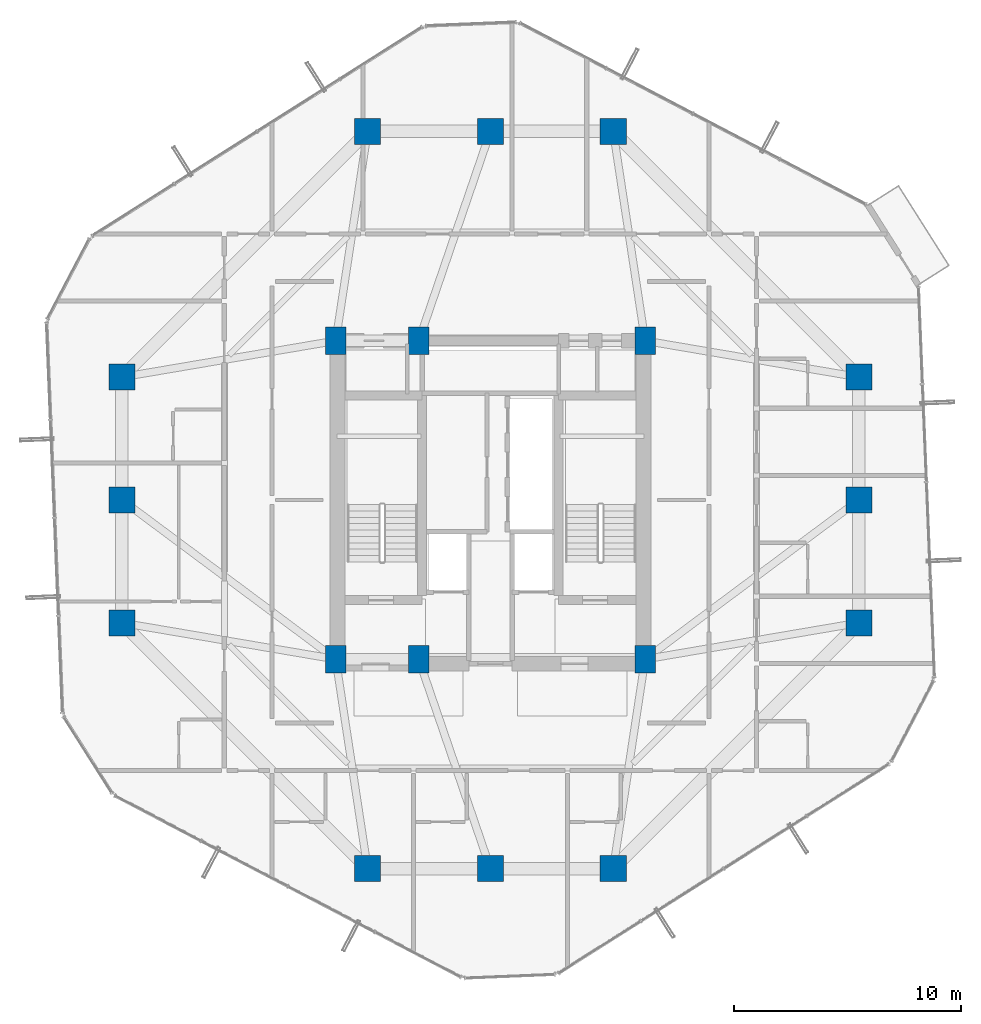
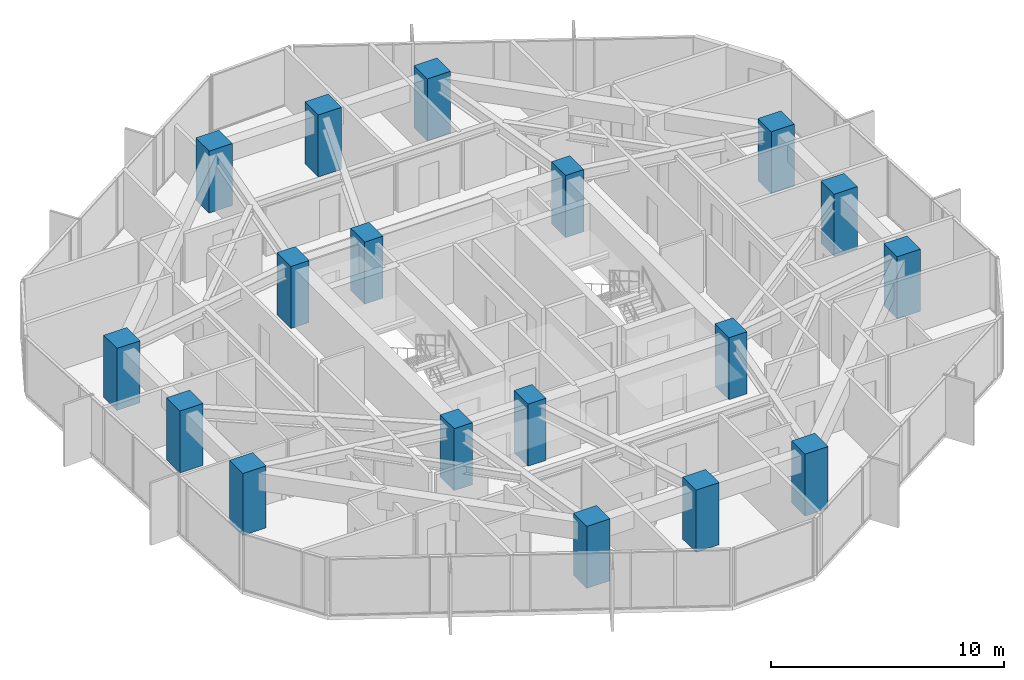
# One storey, part 1 of 32: 18 columns.
"""IFC4 building model written with IfcOpenShell, lengths in metres."""

import ifcopenshell
import ifcopenshell.guid

model = None  # the IFC model being written
_history = None  # IfcOwnerHistory: only IFC2X3 demands one
_inside = {}  # id of a spatial element -> (the spatial element, [elements in it])
_under = {}  # id of a project, library or spatial element -> (it, [spatial elements below it])
_declared = {}  # id of a project -> (the project, [libraries it declares])
_typed = {}  # id of a type object -> (the type object, [elements of that type])
_made_of = {}  # id of a material, layer set ... -> (it, [elements and type objects made of it])


def new_model(schema):
    """Start an empty IFC model of exactly this schema.

    Asked for "IFC4X3", IfcOpenShell would pick the latest addendum, in which some entities
    have other attributes; the version numbers below select the first issue.
    IFC2X3 requires an IfcOwnerHistory on every rooted entity: one is made here for all.
    """
    global model, _history
    if schema == "IFC4X3":
        model = ifcopenshell.file(schema_version=(4, 3, 0, 0))
    else:
        model = ifcopenshell.file(schema=schema)
    _inside.clear()
    _under.clear()
    _declared.clear()
    _typed.clear()
    _made_of.clear()
    _history = None
    if model.schema == "IFC2X3":
        org = make("IfcOrganization", Name="unknown")
        user = make(
            "IfcPersonAndOrganization",
            ThePerson=make("IfcPerson", FamilyName="unknown"),
            TheOrganization=org,
        )
        app = make(
            "IfcApplication",
            ApplicationDeveloper=org,
            Version="unknown",
            ApplicationFullName="unknown",
            ApplicationIdentifier="unknown",
        )
        _history = make(
            "IfcOwnerHistory",
            OwningUser=user,
            OwningApplication=app,
            ChangeAction="ADDED",
            CreationDate=0,
        )
    return model


def make(cls, **values):
    """One entity of the class cls with the attributes given. An attribute that is None is left unset."""
    return model.create_entity(
        cls, **{name: value for name, value in values.items() if value is not None}
    )


def rooted(cls, **values):
    """An entity with a GlobalId (a new one), such as an element, a storey or a relation."""
    return make(cls, GlobalId=ifcopenshell.guid.new(), OwnerHistory=_history, **values)


def si_unit(unit_type, name, prefix=None):
    """IfcSIUnit, for example si_unit("LENGTHUNIT", "METRE", prefix="MILLI")."""
    return make("IfcSIUnit", UnitType=unit_type, Prefix=prefix, Name=name)


def assignment(units):
    """IfcUnitAssignment: the units of a project."""
    return None if units is None else make("IfcUnitAssignment", Units=units)


def point(xyz):
    """IfcCartesianPoint."""
    return None if xyz is None else make("IfcCartesianPoint", Coordinates=xyz)


def direction(xyz):
    """IfcDirection."""
    return None if xyz is None else make("IfcDirection", DirectionRatios=xyz)


def frame(location, z_axis=None, x_axis=None):
    """IfcAxis2Placement3D, a coordinate frame: its origin and axes. An axis left out is left unset."""
    return make(
        "IfcAxis2Placement3D",
        Location=point(location),
        Axis=direction(z_axis),
        RefDirection=direction(x_axis),
    )


def frame_2d(location, x_axis=None):
    """IfcAxis2Placement2D, a coordinate frame in the plane: its origin and x axis."""
    return make(
        "IfcAxis2Placement2D", Location=point(location), RefDirection=direction(x_axis)
    )


def origin():
    """The frame at (0, 0, 0) with its axes left unset."""
    return frame((0.0, 0.0, 0.0))


def origin_2d():
    """The frame at (0, 0) in the plane with its x axis left unset."""
    return frame_2d((0.0, 0.0))


def place(relative_to, where):
    """IfcLocalPlacement: puts the frame where relative to a parent placement (None: the world)."""
    return make(
        "IfcLocalPlacement", PlacementRelTo=relative_to, RelativePlacement=where
    )


def context(
    kind, dimensions, precision=None, world=None, true_north=None, identifier=None
):
    """IfcGeometricRepresentationContext, for example the 3D "Model" context."""
    return make(
        "IfcGeometricRepresentationContext",
        ContextIdentifier=identifier,
        ContextType=kind,
        CoordinateSpaceDimension=dimensions,
        Precision=precision,
        WorldCoordinateSystem=world,
        TrueNorth=true_north,
    )


def subcontext(parent, identifier, kind, view, scale=None):
    """IfcGeometricRepresentationSubContext, for example "Body" below "Model"."""
    return make(
        "IfcGeometricRepresentationSubContext",
        ContextIdentifier=identifier,
        ContextType=kind,
        ParentContext=parent,
        TargetScale=scale,
        TargetView=view,
    )


def project(units=None, contexts=None):
    """IfcProject with its units and contexts."""
    return rooted(
        "IfcProject",
        Name="project",
        RepresentationContexts=contexts,
        UnitsInContext=assignment(units),
    )


def spatial(cls, under=None, at=None, **own):
    """A site, building, storey or space (cls), placed at a placement, below another one or the project."""
    s = rooted(cls, ObjectPlacement=at, **own)
    if under is not None:
        _under.setdefault(under.id(), (under, []))[1].append(s)
    return s


def profile(cls, at=None, kind="AREA", **sizes):
    """A parametric profile (cls). Its sizes go by their IFC names, for example OverallWidth=200.0."""
    return make(cls, ProfileType=kind, Position=at, **sizes)


def rectangle(**sizes):
    """IfcRectangleProfileDef."""
    return profile("IfcRectangleProfileDef", **sizes)


def extrude(swept, where, along, depth):
    """IfcExtrudedAreaSolid: the profile swept, set in the frame where, extruded along a direction by depth."""
    return make(
        "IfcExtrudedAreaSolid",
        SweptArea=swept,
        Position=where,
        ExtrudedDirection=direction(along),
        Depth=depth,
    )


def shape(context_of_items, identifier, shape_type, items):
    """IfcShapeRepresentation: the items that make up one representation, for example the "Body"."""
    return make(
        "IfcShapeRepresentation",
        ContextOfItems=context_of_items,
        RepresentationIdentifier=identifier,
        RepresentationType=shape_type,
        Items=items,
    )


def material(Name=None, Category=None):
    """IfcMaterial."""
    return make("IfcMaterial", Name=Name, Category=Category)


def material_profile(
    of_material, cross_section, Name=None, Category=None, Priority=None
):
    """IfcMaterialProfile: a cross section and its material."""
    return make(
        "IfcMaterialProfile",
        Name=Name,
        Material=of_material,
        Profile=cross_section,
        Priority=Priority,
        Category=Category,
    )


def profile_set(profiles, Name=None, composite=None):
    """IfcMaterialProfileSet."""
    return make(
        "IfcMaterialProfileSet",
        Name=Name,
        MaterialProfiles=profiles,
        CompositeProfile=composite,
    )


def made_of(thing, what):
    """Note that an element or type object is made of a material, layer set ...; save() writes the relation."""
    if what is not None:
        _made_of.setdefault(what.id(), (what, []))[1].append(thing)
    return thing


def type_object(cls, material=None, **own):
    """A type object (cls), such as IfcWallType, which elements share."""
    return made_of(rooted(cls, **own), material)


def element(
    cls,
    number,
    at=None,
    inside=None,
    cuts=None,
    type_object=None,
    material=None,
    context=None,
    identifier="Body",
    shape_type=None,
    held_by="IfcProductDefinitionShape",
    body=None,
    shapes=None,
    **own,
):
    """One element of the class cls, such as IfcWall. Its Tag is "e" and its number.

    at: its placement. inside: the storey or other place that contains it. cuts: it is an
    opening in that element (IfcRelVoidsElement). A single representation is given by context,
    identifier, shape_type and body (its items); several are given by shapes. held_by: the class
    of the entity that holds the representations. save() writes the other relations.
    """
    e = rooted(cls, Tag="e%d" % number, ObjectPlacement=at, **own)
    if body is not None:
        shapes = [shape(context, identifier, shape_type, body)]
    if shapes is not None:
        e.Representation = make(held_by, Representations=shapes)
    if inside is not None:
        _inside.setdefault(inside.id(), (inside, []))[1].append(e)
    if cuts is not None:
        rooted(
            "IfcRelVoidsElement", RelatingBuildingElement=cuts, RelatedOpeningElement=e
        )
    if type_object is not None:
        _typed.setdefault(type_object.id(), (type_object, []))[1].append(e)
    return made_of(e, material)


def aggregate(whole, parts):
    """IfcRelAggregates: a whole, such as a stair, and the parts it consists of."""
    return rooted("IfcRelAggregates", RelatingObject=whole, RelatedObjects=parts)


def save(model, path):
    """Write the relations noted so far, then the file.

    IfcRelAggregates (storeys below a building ...), IfcRelContainedInSpatialStructure (elements
    in a storey), IfcRelDefinesByType, IfcRelAssociatesMaterial and IfcRelDeclares: one each for
    every whole, place, type object, material and project.
    """
    for whole, parts in _under.values():
        aggregate(whole, parts)
    for where, things in _inside.values():
        rooted(
            "IfcRelContainedInSpatialStructure",
            RelatedElements=things,
            RelatingStructure=where,
        )
    for kind, things in _typed.values():
        rooted("IfcRelDefinesByType", RelatedObjects=things, RelatingType=kind)
    for what, things in _made_of.values():
        rooted("IfcRelAssociatesMaterial", RelatedObjects=things, RelatingMaterial=what)
    for by, libraries in _declared.values():
        rooted("IfcRelDeclares", RelatingContext=by, RelatedDefinitions=libraries)
    model.write(path)


model = new_model("IFC4")

# Units and contexts
model_context = context("Model", 3, precision=1e-05, world=origin(), true_north=direction((0.0, 1.0)))
body_context = subcontext(model_context, "Body", "Model", "MODEL_VIEW")
ifc_project = project(units=[si_unit("LENGTHUNIT", "METRE"), si_unit("AREAUNIT", "SQUARE_METRE"), si_unit("VOLUMEUNIT", "CUBIC_METRE"), si_unit("PLANEANGLEUNIT", "RADIAN"), si_unit("MASSUNIT", "GRAM", prefix="KILO")], contexts=[model_context])

# Site, building, storey
site_placement = place(None, origin())
site = spatial("IfcSite", under=ifc_project, at=site_placement, CompositionType="ELEMENT")
building_placement = place(site_placement, origin())
building = spatial("IfcBuilding", under=site, at=building_placement, Name="Veraguas Prism Commons", CompositionType="ELEMENT")
storey_placement = place(building_placement, frame((0.0, 0.0, 136.0)))
storey = spatial("IfcBuildingStorey", under=building, at=storey_placement, Name="L38", CompositionType="ELEMENT", Elevation=136.0)

# Columns
ifc_material = material(Name="Concrete C60/75", Category="concrete")
ifc_material_profile_1 = material_profile(ifc_material, rectangle(XDim=1.14990234375, YDim=1.14990234375, at=origin_2d()), Name="RC1150X1150")
ifc_profile_set_1 = profile_set([ifc_material_profile_1], Name="Concrete C60/75")
column_type_1 = type_object("IfcColumnType", Name="Column Tube Z2 RC 1150x1150", PredefinedType="COLUMN", material=ifc_profile_set_1)
for number, where, z_axis, x_axis, name in (
    (1, (40.199951171875, 18.60009765625, 0.0), (0.0, 0.0, 1.0), (1.0, 0.0, 0.0), "Tower Perimeter Column L38-TB01"),
    (2, (40.199951171875, 24.0, 0.0), (0.0, 0.0, 1.0), (1.0, 0.0, 0.0), "Tower Perimeter Column L38-TB02"),
    (3, (40.199951171875, 29.39990234375, 0.0), (0.0, 0.0, 1.0), (1.0, 0.0, 0.0), "Tower Perimeter Column L38-TB03"),
    (4, (29.39990234375, 40.199951171875, 0.0), (0.0, 0.0, 1.0), (1.0, 0.0, 0.0), "Tower Perimeter Column L38-TB04"),
    (5, (24.0, 40.199951171875, 0.0), (0.0, 0.0, 1.0), (1.0, 0.0, 0.0), "Tower Perimeter Column L38-TB05"),
    (6, (18.60009765625, 40.199951171875, 0.0), (0.0, 0.0, 1.0), (1.0, 0.0, 0.0), "Tower Perimeter Column L38-TB06"),
    (7, (7.800048828125, 29.39990234375, 0.0), (0.0, 0.0, 1.0), (1.0, 0.0, 0.0), "Tower Perimeter Column L38-TB07"),
    (8, (7.800048828125, 24.0, 0.0), (0.0, 0.0, 1.0), (1.0, 0.0, 0.0), "Tower Perimeter Column L38-TB08"),
    (9, (7.800048828125, 18.60009765625, 0.0), (0.0, 0.0, 1.0), (1.0, 0.0, 0.0), "Tower Perimeter Column L38-TB09"),
    (10, (18.60009765625, 7.800048828125, 0.0), (0.0, 0.0, 1.0), (1.0, 0.0, 0.0), "Tower Perimeter Column L38-TB10"),
    (11, (24.0, 7.800048828125, 0.0), (0.0, 0.0, 1.0), (1.0, 0.0, 0.0), "Tower Perimeter Column L38-TB11"),
    (12, (29.39990234375, 7.800048828125, 0.0), (0.0, 0.0, 1.0), (1.0, 0.0, 0.0), "Tower Perimeter Column L38-TB12"),
):
    element("IfcColumn", number, at=place(storey_placement, frame(where, z_axis=z_axis, x_axis=x_axis)), inside=storey, type_object=column_type_1, Name=name, PredefinedType="COLUMN", context=body_context, shape_type="SweptSolid", body=[
        extrude(rectangle(XDim=1.14990234375, YDim=1.14990234375, at=origin_2d()), origin(), (0.0, 0.0, 1.0), 3.25),
    ])
ifc_material_profile_2 = material_profile(ifc_material, rectangle(XDim=0.89990234375, YDim=1.199951171875, at=origin_2d()), Name="RC900X1200")
ifc_profile_set_2 = profile_set([ifc_material_profile_2], Name="Concrete C60/75")
column_type_2 = type_object("IfcColumnType", Name="Pilaster Core Lower RC 900x1200", PredefinedType="PILASTER", material=ifc_profile_set_2)
for number, where, z_axis, x_axis, name in (
    (13, (17.199951171875, 17.0, 0.0), (0.0, 0.0, 1.0), (1.0, 0.0, 0.0), "Core Pilaster Column L38-CR1"),
    (14, (20.85009765625, 17.0, 0.0), (0.0, 0.0, 1.0), (1.0, 0.0, 0.0), "Core Pilaster Column L38-CR2"),
    (15, (30.800048828125, 17.0, 0.0), (0.0, 0.0, 1.0), (1.0, 0.0, 0.0), "Core Pilaster Column L38-CR3"),
    (16, (17.199951171875, 31.0, 0.0), (0.0, 0.0, 1.0), (1.0, 0.0, 0.0), "Core Pilaster Column L38-CR4"),
    (17, (20.85009765625, 31.0, 0.0), (0.0, 0.0, 1.0), (1.0, 0.0, 0.0), "Core Pilaster Column L38-CR5"),
    (18, (30.800048828125, 31.0, 0.0), (0.0, 0.0, 1.0), (1.0, 0.0, 0.0), "Core Pilaster Column L38-CR6"),
):
    element("IfcColumn", number, at=place(storey_placement, frame(where, z_axis=z_axis, x_axis=x_axis)), inside=storey, type_object=column_type_2, Name=name, PredefinedType="PILASTER", context=body_context, shape_type="SweptSolid", body=[
        extrude(rectangle(XDim=0.89990234375, YDim=1.199951171875, at=origin_2d()), origin(), (0.0, 0.0, 1.0), 3.25),
    ])

save(model, "model.ifc")
